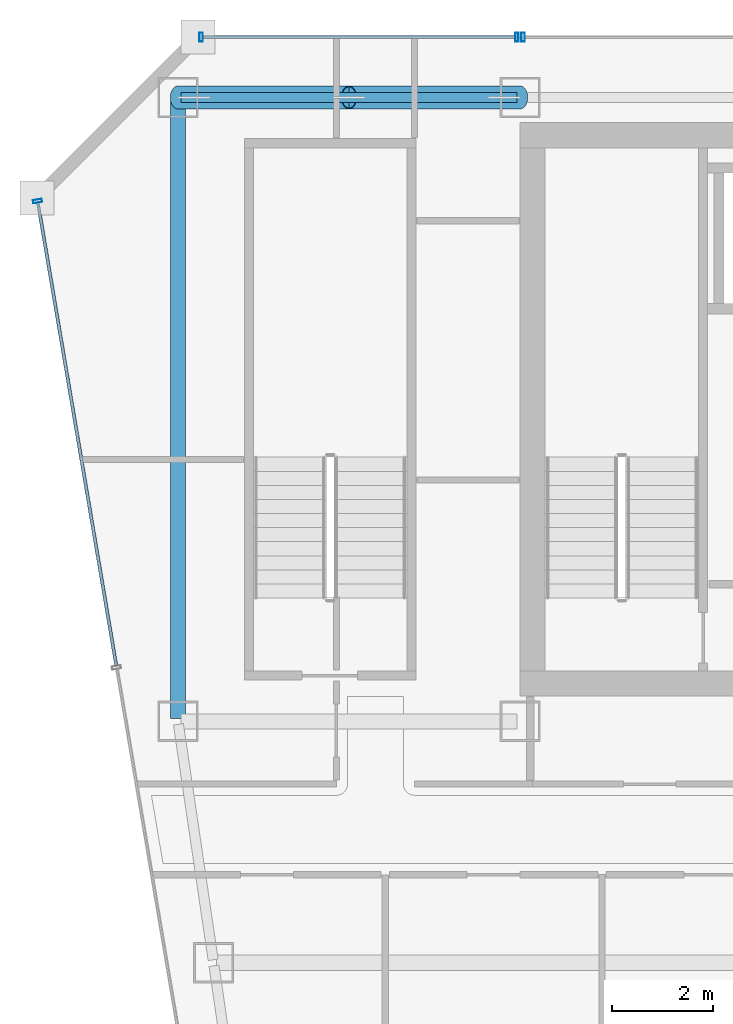
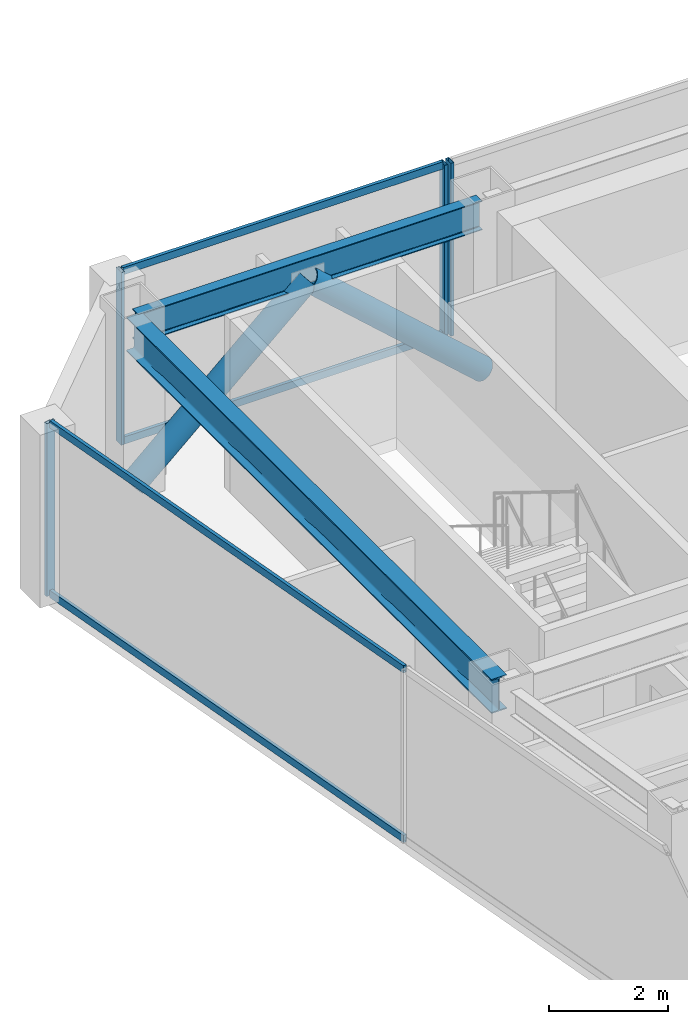
# One storey, part 23 of 36: 10 members, 2 beams, 3 elements without a shape of their own.
"""IFC4 building model written with IfcOpenShell, lengths in metres."""

from ifc_helpers import new_model, si_unit, direction, frame, origin, origin_2d, place, context, subcontext, project, spatial, hollow_rectangle, hollow_circle, i_section, extrude, material, material_profile, profile_set, type_object, element, aggregate, save


model = new_model("IFC4")

# Units and contexts
model_context = context("Model", 3, precision=1e-05, world=origin(), true_north=direction((0.0, 1.0)))
body_context = subcontext(model_context, "Body", "Model", "MODEL_VIEW")
ifc_project = project(units=[si_unit("LENGTHUNIT", "METRE"), si_unit("AREAUNIT", "SQUARE_METRE"), si_unit("VOLUMEUNIT", "CUBIC_METRE"), si_unit("PLANEANGLEUNIT", "RADIAN"), si_unit("MASSUNIT", "GRAM", prefix="KILO")], contexts=[model_context])

# Site, building, storey
site_placement = place(None, origin())
site = spatial("IfcSite", under=ifc_project, at=site_placement, CompositionType="ELEMENT")
building_placement = place(site_placement, origin())
building = spatial("IfcBuilding", under=site, at=building_placement, Name="Saevonmaru Cultural Tower", CompositionType="ELEMENT")
storey_placement = place(building_placement, frame((0.0, 0.0, 198.0)))
storey = spatial("IfcBuildingStorey", under=building, at=storey_placement, Name="L45", CompositionType="ELEMENT", Elevation=198.0)

# Beams
ifc_material_1 = material(Name="Steel SM355", Category="steel")
ifc_material_profile_1 = material_profile(ifc_material_1, i_section(OverallWidth=0.300048828125, OverallDepth=0.699951171875, WebThickness=0.012939453125, FlangeThickness=0.02392578125, FilletRadius=0.02587890625, at=origin_2d()), Name="H-700x300x13x24")
ifc_profile_set_1 = profile_set([ifc_material_profile_1], Name="Steel SM355")
beam_type_1 = type_object("IfcBeamType", Name="BM-G-H700", PredefinedType="BEAM", material=ifc_profile_set_1)
beam_1_placement = place(storey_placement, frame((6.800048828125, 54.739990234375, 3.199951171875), z_axis=(0.0, -1.0, 0.0), x_axis=(1.0, 0.0, 0.0)))
element("IfcBeam", 1, at=beam_1_placement, inside=storey, type_object=beam_type_1, Name="L45 Spine Transverse Girder W", PredefinedType="BEAM", context=body_context, shape_type="SweptSolid", body=[
    extrude(i_section(OverallWidth=0.300048828125, OverallDepth=0.699951171875, WebThickness=0.012939453125, FlangeThickness=0.02392578125, FilletRadius=0.02587890625, at=origin_2d()), origin(), (0.0, 0.0, 1.0), 12.280029296875),
])
ifc_material_profile_2 = material_profile(ifc_material_1, i_section(OverallWidth=0.199951171875, OverallDepth=0.60009765625, WebThickness=0.010986328125, FlangeThickness=0.01708984375, FilletRadius=0.02197265625, at=origin_2d()), Name="H-600x200x11x17")
ifc_profile_set_2 = profile_set([ifc_material_profile_2], Name="Steel SM355")
beam_type_2 = type_object("IfcBeamType", Name="BM-SP-H600", PredefinedType="SPANDREL", material=ifc_profile_set_2)
beam_2_placement = place(storey_placement, frame((6.860107421875, 54.800048828125, 3.25), z_axis=(1.0, 0.0, 0.0), x_axis=(0.0, 1.0, 0.0)))
element("IfcBeam", 2, at=beam_2_placement, inside=storey, type_object=beam_type_2, Name="L45 North Spine Girder 1", PredefinedType="SPANDREL", context=body_context, shape_type="SweptSolid", body=[
    extrude(i_section(OverallWidth=0.199951171875, OverallDepth=0.60009765625, WebThickness=0.010986328125, FlangeThickness=0.01708984375, FilletRadius=0.02197265625, at=origin_2d()), origin(), (0.0, 0.0, 1.0), 6.679931640625),
])

# Members
ifc_material_2 = material(Name="Steel SM420", Category="steel")
ifc_material_profile_3 = material_profile(ifc_material_2, hollow_circle(Radius=0.228515625, WallThickness=0.02001953125, at=origin_2d()), Name="CHS-457.2x20")
ifc_profile_set_3 = profile_set([ifc_material_profile_3], Name="Steel SM420")
member_type_1 = type_object("IfcMemberType", Name="MB-PBR-CHS457", PredefinedType="BRACE", material=ifc_profile_set_3)
for number, where, z_axis, x_axis, name in (
    (3, (6.800048828125, 54.800048828125, 0.02001953125), (0.744366945704, 0.0, 0.667770806597), (0.0, 1.0, 0.0), "L45 Perimeter Braced-Tube Diagonal WN1"),
    (4, (13.60009765625, 54.800048828125, 0.02001953125), (-0.744390779303, 0.0, 0.66774423823), (0.0, -1.0, 0.0), "L45 Perimeter Braced-Tube Diagonal WN2"),
):
    element("IfcMember", number, at=place(storey_placement, frame(where, z_axis=z_axis, x_axis=x_axis)), inside=storey, type_object=member_type_1, Name=name, PredefinedType="BRACE", context=body_context, shape_type="SweptSolid", body=[
        extrude(hollow_circle(Radius=0.228515625, WallThickness=0.02001953125, at=origin_2d()), origin(), (0.0, 0.0, 1.0), 4.567626953125),
    ])

# Curtain wall, member
ifc_material_3 = material(Name="Satin Bronze Anodised Aluminium", Category="aluminium")
curtain_wall_type = type_object("IfcCurtainWallType", Name="CW-TYP-B", PredefinedType="NOTDEFINED", material=ifc_material_3)
curtain_wall_1_placement = place(storey_placement, origin())
curtain_wall_1 = element("IfcCurtainWall", 5, at=curtain_wall_1_placement, inside=storey, type_object=curtain_wall_type, Name="L45 North Spine Unitised Curtain Wall E10B", PredefinedType="NOTDEFINED")
ifc_material_profile_4 = material_profile(ifc_material_3, hollow_rectangle(XDim=0.06494140625, YDim=0.179931640625, WallThickness=0.00390625, at=origin_2d()), Name="ALU-MULL-180x65x4")
ifc_profile_set_4 = profile_set([ifc_material_profile_4], Name="Satin Bronze Anodised Aluminium")
member_type_2 = type_object("IfcMemberType", Name="ML-CW-180x65", PredefinedType="MULLION", material=ifc_profile_set_4)
member_1_placement = place(storey_placement, frame((13.659912109375, 56.0, 0.0), z_axis=(0.0, 0.0, 1.0), x_axis=(-1.0, 0.0, 0.0)))
member_1 = element("IfcMember", 6, at=member_1_placement, type_object=member_type_2, Name="CW-TW-L45-E10B mullion 4", PredefinedType="MULLION", context=body_context, shape_type="SweptSolid", body=[
    extrude(hollow_rectangle(XDim=0.06494140625, YDim=0.179931640625, WallThickness=0.00390625, at=origin_2d()), origin(), (0.0, 0.0, 1.0), 3.550048828125),
])
aggregate(curtain_wall_1, [member_1])

# Curtain wall, members
curtain_wall_2_placement = place(storey_placement, origin())
curtain_wall_2 = element("IfcCurtainWall", 7, at=curtain_wall_2_placement, inside=storey, type_object=curtain_wall_type, Name="L45 West Braced Bay Spandrel Curtain Wall E10C", PredefinedType="NOTDEFINED")
member_2_placement = place(storey_placement, frame((13.5400390625, 56.0, 0.0), z_axis=(0.0, 0.0, 1.0), x_axis=(-1.0, 0.0, 0.0)))
member_2 = element("IfcMember", 8, at=member_2_placement, type_object=member_type_2, Name="CW-TW-L45-E10C mullion 1", PredefinedType="MULLION", context=body_context, shape_type="SweptSolid", body=[
    extrude(hollow_rectangle(XDim=0.06494140625, YDim=0.179931640625, WallThickness=0.00390625, at=origin_2d()), origin(), (0.0, 0.0, 1.0), 3.550048828125),
])
member_3_placement = place(storey_placement, frame((7.260009765625, 56.0, 0.0), z_axis=(0.0, 0.0, 1.0), x_axis=(-1.0, 0.0, 0.0)))
member_3 = element("IfcMember", 9, at=member_3_placement, type_object=member_type_2, Name="CW-TW-L45-E10C mullion 2", PredefinedType="MULLION", context=body_context, shape_type="SweptSolid", body=[
    extrude(hollow_rectangle(XDim=0.06494140625, YDim=0.179931640625, WallThickness=0.00390625, at=origin_2d()), origin(), (0.0, 0.0, 1.0), 3.550048828125),
])

# Curtain wall, member
curtain_wall_3_placement = place(storey_placement, origin())
curtain_wall_3 = element("IfcCurtainWall", 10, at=curtain_wall_3_placement, inside=storey, type_object=curtain_wall_type, Name="L45 Unitised Curtain Wall E12", PredefinedType="NOTDEFINED")
member_4_placement = place(storey_placement, frame((4.010009765625, 52.74072265625, 0.0), z_axis=(0.0, 0.0, 1.0), x_axis=(0.16692169721, -0.985970155228, 0.0)))
member_4 = element("IfcMember", 11, at=member_4_placement, type_object=member_type_2, Name="CW-TW-L45-E12 mullion 1", PredefinedType="MULLION", context=body_context, shape_type="SweptSolid", body=[
    extrude(hollow_rectangle(XDim=0.06494140625, YDim=0.179931640625, WallThickness=0.00390625, at=origin_2d()), origin(), (0.0, 0.0, 1.0), 3.550048828125),
])

# Member
ifc_material_profile_5 = material_profile(ifc_material_3, hollow_rectangle(XDim=0.06494140625, YDim=0.14990234375, WallThickness=0.00390625, at=origin_2d()), Name="ALU-TRAN-150x65x4")
ifc_profile_set_5 = profile_set([ifc_material_profile_5], Name="Satin Bronze Anodised Aluminium")
member_type_3 = type_object("IfcMemberType", Name="TR-CW-150x65", PredefinedType="USERDEFINED", material=ifc_profile_set_5)
member_5_placement = place(storey_placement, frame((13.507568359375, 56.0, 0.032470703125), z_axis=(-1.0, 0.0, 0.0), x_axis=(0.0, -1.0, 0.0)))
member_5 = element("IfcMember", 12, at=member_5_placement, type_object=member_type_3, Name="CW-TW-L45-E10C transom 1.1", ObjectType="TRANSOM", PredefinedType="USERDEFINED", context=body_context, shape_type="SweptSolid", body=[
    extrude(hollow_rectangle(XDim=0.06494140625, YDim=0.14990234375, WallThickness=0.00390625, at=origin_2d()), origin(), (0.0, 0.0, 1.0), 6.215087890625),
])

member_6_placement = place(storey_placement, frame((13.507568359375, 56.0, 3.517578125), z_axis=(-1.0, 0.0, 0.0), x_axis=(0.0, -1.0, 0.0)))
member_6 = element("IfcMember", 13, at=member_6_placement, type_object=member_type_3, Name="CW-TW-L45-E10C transom 1.2", ObjectType="TRANSOM", PredefinedType="USERDEFINED", context=body_context, shape_type="SweptSolid", body=[
    extrude(hollow_rectangle(XDim=0.06494140625, YDim=0.14990234375, WallThickness=0.00390625, at=origin_2d()), origin(), (0.0, 0.0, 1.0), 6.215087890625),
])

aggregate(curtain_wall_2, [member_2, member_3, member_5, member_6])

member_7_placement = place(storey_placement, frame((4.015380859375, 52.708740234375, 0.032470703125), z_axis=(0.166921263871, -0.985970228591, 0.0), x_axis=(0.985970228591, 0.166921263871, 0.0)))
member_7 = element("IfcMember", 14, at=member_7_placement, type_object=member_type_3, Name="CW-TW-L45-E12 transom 1.1", ObjectType="TRANSOM", PredefinedType="USERDEFINED", context=body_context, shape_type="SweptSolid", body=[
    extrude(hollow_rectangle(XDim=0.06494140625, YDim=0.14990234375, WallThickness=0.00390625, at=origin_2d()), origin(), (0.0, 0.0, 1.0), 9.33740234375),
])

member_8_placement = place(storey_placement, frame((4.015380859375, 52.708740234375, 3.517578125), z_axis=(0.166921263871, -0.985970228591, 0.0), x_axis=(0.985970228591, 0.166921263871, 0.0)))
member_8 = element("IfcMember", 15, at=member_8_placement, type_object=member_type_3, Name="CW-TW-L45-E12 transom 1.2", ObjectType="TRANSOM", PredefinedType="USERDEFINED", context=body_context, shape_type="SweptSolid", body=[
    extrude(hollow_rectangle(XDim=0.06494140625, YDim=0.14990234375, WallThickness=0.00390625, at=origin_2d()), origin(), (0.0, 0.0, 1.0), 9.33740234375),
])

aggregate(curtain_wall_3, [member_4, member_7, member_8])

save(model, "model.ifc")
